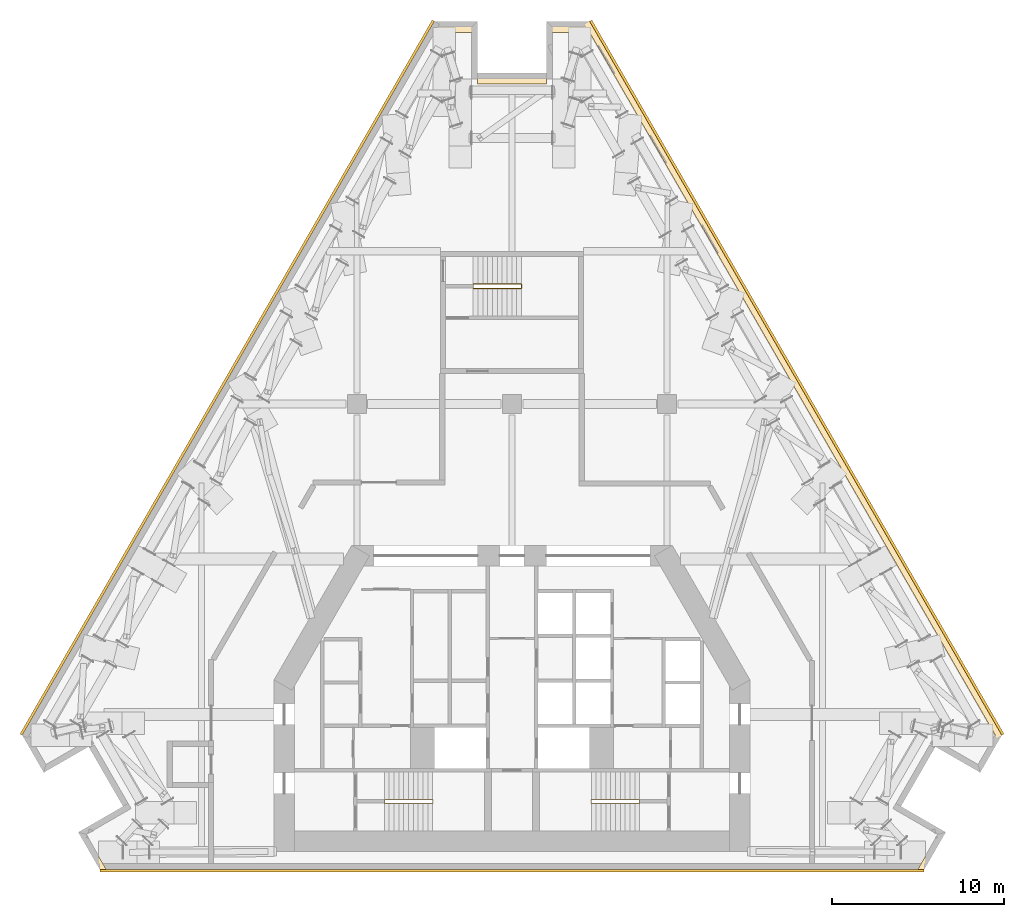
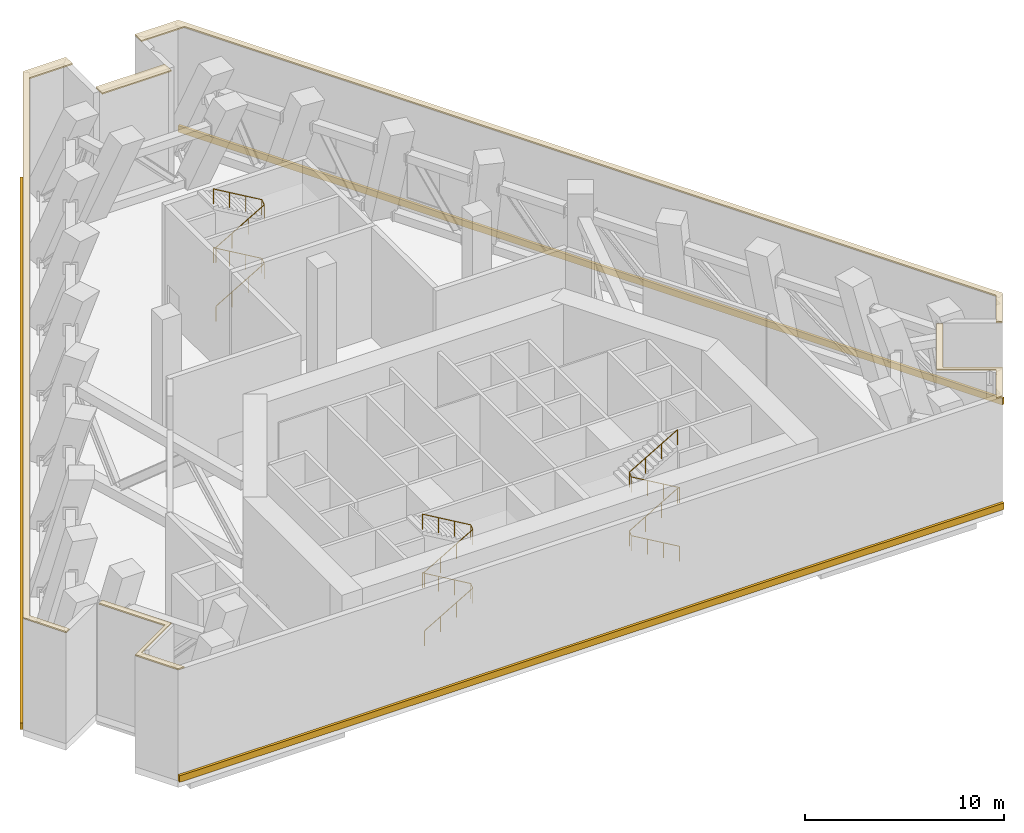
# One storey, part 13 of 13: 8 coverings, 3 railings.
"""IFC4 building model written with IfcOpenShell, lengths in metres."""

from ifc_helpers import new_model, si_unit, direction, frame, origin, origin_2d, place, context, subcontext, project, spatial, polyline, circle, outline, extrude, material, layer, layer_set, type_object, element, save


model = new_model("IFC4")

# Units and contexts
model_context = context("Model", 3, precision=1e-05, world=origin(), true_north=direction((0.0, 1.0)))
body_context = subcontext(model_context, "Body", "Model", "MODEL_VIEW")
ifc_project = project(units=[si_unit("LENGTHUNIT", "METRE"), si_unit("AREAUNIT", "SQUARE_METRE"), si_unit("VOLUMEUNIT", "CUBIC_METRE"), si_unit("PLANEANGLEUNIT", "RADIAN"), si_unit("MASSUNIT", "GRAM", prefix="KILO")], contexts=[model_context])

# Site, building, storey
site_placement = place(None, origin())
site = spatial("IfcSite", under=ifc_project, at=site_placement, CompositionType="ELEMENT")
building_placement = place(site_placement, origin())
building = spatial("IfcBuilding", under=site, at=building_placement, Name="Fogline Exchange Tower", CompositionType="ELEMENT")
storey_placement = place(building_placement, frame((0.0, 0.0, 174.89990234375)))
storey = spatial("IfcBuildingStorey", under=building, at=storey_placement, Name="L39", CompositionType="ELEMENT", Elevation=174.89990234375)

# Coverings
ifc_material_1 = material(Name="Granite", Category="masonry")
ifc_layer = layer(ifc_material_1, 0.080078125)
ifc_layer_set = layer_set([ifc_layer], Name="CP1")
covering_type_1 = type_object("IfcCoveringType", Name="CP1", PredefinedType="USERDEFINED", material=ifc_layer_set)
covering_1_placement = place(storey_placement, frame((0.0, 0.0, 6.800048828125)))
element("IfcCovering", 1, at=covering_1_placement, inside=storey, type_object=covering_type_1, Name="Ledge coping L39", ObjectType="COPING", PredefinedType="USERDEFINED", context=body_context, shape_type="SweptSolid", body=[
    extrude(outline(polyline([(-27.15380859375, 5.629150390625), (-26.87451171875, 5.790283203125), (-28.03125, 7.794189453125), (-4.5, 48.5517578125), (-2.0, 48.5517578125), (-2.0, 49.19677734375), (-4.5, 49.19677734375), (-28.40380859375, 7.794189453125), (-27.15380859375, 5.629150390625)])), origin(), (0.0, 0.0, 1.0), 0.080078125),
])
covering_2_placement = place(storey_placement, frame((0.0, 0.0, 6.800048828125)))
element("IfcCovering", 2, at=covering_2_placement, inside=storey, type_object=covering_type_1, Name="Ledge coping L39", ObjectType="COPING", PredefinedType="USERDEFINED", context=body_context, shape_type="SweptSolid", body=[
    extrude(outline(polyline([(-23.90380859375, 0.0), (-23.53125, 0.0), (-24.78125, 2.1650390625), (-22.18310546875, 3.6650390625), (-24.18310546875, 7.129150390625), (-24.46240234375, 6.968017578125), (-22.5556640625, 3.6650390625), (-25.15380859375, 2.1650390625), (-23.90380859375, 0.0)])), origin(), (0.0, 0.0, 1.0), 0.080078125),
])
covering_3_placement = place(storey_placement, frame((0.0, 0.0, 6.800048828125)))
element("IfcCovering", 3, at=covering_3_placement, inside=storey, type_object=covering_type_1, Name="Ledge coping L39", ObjectType="COPING", PredefinedType="USERDEFINED", context=body_context, shape_type="SweptSolid", body=[
    extrude(outline(polyline([(22.5556640625, 3.6650390625), (24.46240234375, 6.968017578125), (24.18310546875, 7.129150390625), (22.18310546875, 3.6650390625), (24.78125, 2.1650390625), (23.53125, 0.0), (23.90380859375, 0.0), (25.15380859375, 2.1650390625), (22.5556640625, 3.6650390625)])), origin(), (0.0, 0.0, 1.0), 0.080078125),
])
covering_4_placement = place(storey_placement, frame((0.0, 0.0, 6.800048828125)))
element("IfcCovering", 4, at=covering_4_placement, inside=storey, type_object=covering_type_1, Name="Ledge coping L39", ObjectType="COPING", PredefinedType="USERDEFINED", context=body_context, shape_type="SweptSolid", body=[
    extrude(outline(polyline([(2.0, 49.19677734375), (2.0, 48.5517578125), (4.5, 48.5517578125), (28.03125, 7.794189453125), (26.87451171875, 5.790283203125), (27.15380859375, 5.629150390625), (28.40380859375, 7.794189453125), (4.5, 49.19677734375), (2.0, 49.19677734375)])), origin(), (0.0, 0.0, 1.0), 0.080078125),
])
covering_5_placement = place(storey_placement, frame((0.0, 0.0, 6.800048828125)))
element("IfcCovering", 5, at=covering_5_placement, inside=storey, type_object=covering_type_1, Name="Ledge coping L39", ObjectType="COPING", PredefinedType="USERDEFINED", context=body_context, shape_type="SweptSolid", body=[
    extrude(outline(polyline([(2.0, 46.19677734375), (-2.0, 46.19677734375), (-2.0, 45.5517578125), (2.0, 45.5517578125), (2.0, 46.19677734375)])), origin(), (0.0, 0.0, 1.0), 0.080078125),
])

# Railings
ifc_material_2 = material(Name="Steel Q235B", Category="steel")
railing_type = type_object("IfcRailingType", Name="RL-HR", PredefinedType="HANDRAIL", material=ifc_material_2)
railing_1_placement = place(storey_placement, frame((-7.39990234375, 3.85009765625, 0.163818359375)))
element("IfcRailing", 6, at=railing_1_placement, inside=storey, type_object=railing_type, Name="Handrail ST1", PredefinedType="HANDRAIL", context=body_context, shape_type="SweptSolid", body=[
    extrude(circle(Radius=0.02392578125, at=origin_2d()), frame((0.0, 0.0, 0.92578125), z_axis=(0.863374499697, 0.0, 0.504563646405), x_axis=(0.0, 1.0, 0.0)), (0.0, 0.0, 1.0), 3.242919921875),
    extrude(circle(Radius=0.02392578125, at=origin_2d()), frame((2.7998046875, 0.0, 2.56201171875), z_axis=(0.0, 0.773999403868, 0.633186325509), x_axis=(-1.0, 0.0, 0.0)), (0.0, 0.0, 1.0), 0.25830078125),
    extrude(circle(Radius=0.02392578125, at=origin_2d()), frame((2.7998046875, 0.199951171875, 2.7255859375), z_axis=(-0.863341702679, 0.0, 0.504619762213), x_axis=(0.0, -1.0, 0.0)), (0.0, 0.0, 1.0), 3.242919921875),
    extrude(circle(Radius=0.02392578125, at=origin_2d()), frame((0.0, 0.199951171875, 4.3623046875), z_axis=(0.0, -0.773999403868, 0.633186325509), x_axis=(1.0, 0.0, 0.0)), (0.0, 0.0, 1.0), 0.25830078125),
    extrude(circle(Radius=0.02392578125, at=origin_2d()), frame((0.0, 0.0, 4.52587890625), z_axis=(0.863341702679, 0.0, 0.504619762213), x_axis=(0.0, 1.0, 0.0)), (0.0, 0.0, 1.0), 3.242919921875),
    extrude(circle(Radius=0.02392578125, at=origin_2d()), frame((2.7998046875, 0.0, 6.162109375), z_axis=(0.0, 0.773999403868, 0.633186325509), x_axis=(-1.0, 0.0, 0.0)), (0.0, 0.0, 1.0), 0.25830078125),
    extrude(circle(Radius=0.02392578125, at=origin_2d()), frame((2.7998046875, 0.199951171875, 6.32568359375), z_axis=(-0.863341702679, 0.0, 0.504619762213), x_axis=(0.0, -1.0, 0.0)), (0.0, 0.0, 1.0), 3.242919921875),
    extrude(circle(Radius=0.02099609375, at=origin_2d()), origin(), (0.0, 0.0, 1.0), 0.90185546875),
    extrude(circle(Radius=0.02099609375, at=origin_2d()), frame((0.933349609375, 0.0, 0.54541015625)), (0.0, 0.0, 1.0), 0.90185546875),
    extrude(circle(Radius=0.02099609375, at=origin_2d()), frame((1.866455078125, 0.0, 1.0908203125)), (0.0, 0.0, 1.0), 0.90185546875),
    extrude(circle(Radius=0.02099609375, at=origin_2d()), frame((2.7998046875, 0.0, 1.63623046875)), (0.0, 0.0, 1.0), 0.90185546875),
    extrude(circle(Radius=0.02099609375, at=origin_2d()), frame((2.7998046875, 0.199951171875, 1.7998046875)), (0.0, 0.0, 1.0), 0.90185546875),
    extrude(circle(Radius=0.02099609375, at=origin_2d()), frame((1.866455078125, 0.199951171875, 2.34521484375)), (0.0, 0.0, 1.0), 0.90185546875),
    extrude(circle(Radius=0.02099609375, at=origin_2d()), frame((0.933349609375, 0.199951171875, 2.890869140625)), (0.0, 0.0, 1.0), 0.90185546875),
    extrude(circle(Radius=0.02099609375, at=origin_2d()), frame((0.0, 0.199951171875, 3.436279296875)), (0.0, 0.0, 1.0), 0.90185546875),
    extrude(circle(Radius=0.02099609375, at=origin_2d()), frame((0.0, 0.0, 3.599853515625)), (0.0, 0.0, 1.0), 0.90185546875),
    extrude(circle(Radius=0.02099609375, at=origin_2d()), frame((0.933349609375, 0.0, 4.145263671875)), (0.0, 0.0, 1.0), 0.90185546875),
    extrude(circle(Radius=0.02099609375, at=origin_2d()), frame((1.866455078125, 0.0, 4.69091796875)), (0.0, 0.0, 1.0), 0.90185546875),
    extrude(circle(Radius=0.02099609375, at=origin_2d()), frame((2.7998046875, 0.0, 5.236328125)), (0.0, 0.0, 1.0), 0.90185546875),
    extrude(circle(Radius=0.02099609375, at=origin_2d()), frame((2.7998046875, 0.199951171875, 5.39990234375)), (0.0, 0.0, 1.0), 0.90185546875),
    extrude(circle(Radius=0.02099609375, at=origin_2d()), frame((1.866455078125, 0.199951171875, 5.9453125)), (0.0, 0.0, 1.0), 0.90185546875),
    extrude(circle(Radius=0.02099609375, at=origin_2d()), frame((0.933349609375, 0.199951171875, 6.490966796875)), (0.0, 0.0, 1.0), 0.90185546875),
    extrude(circle(Radius=0.02099609375, at=origin_2d()), frame((0.0, 0.199951171875, 7.036376953125)), (0.0, 0.0, 1.0), 0.90185546875),
])
railing_2_placement = place(storey_placement, frame((7.39990234375, 3.85009765625, 0.163818359375)))
element("IfcRailing", 7, at=railing_2_placement, inside=storey, type_object=railing_type, Name="Handrail ST2", PredefinedType="HANDRAIL", context=body_context, shape_type="SweptSolid", body=[
    extrude(circle(Radius=0.02392578125, at=origin_2d()), frame((0.0, 0.0, 0.92578125), z_axis=(-0.863374499697, 0.0, 0.504563646405), x_axis=(0.0, -1.0, 0.0)), (0.0, 0.0, 1.0), 3.242919921875),
    extrude(circle(Radius=0.02392578125, at=origin_2d()), frame((-2.7998046875, 0.0, 2.56201171875), z_axis=(0.0, 0.773999403868, 0.633186325509), x_axis=(-1.0, 0.0, 0.0)), (0.0, 0.0, 1.0), 0.25830078125),
    extrude(circle(Radius=0.02392578125, at=origin_2d()), frame((-2.7998046875, 0.199951171875, 2.7255859375), z_axis=(0.863341702679, 0.0, 0.504619762213), x_axis=(0.0, 1.0, 0.0)), (0.0, 0.0, 1.0), 3.242919921875),
    extrude(circle(Radius=0.02392578125, at=origin_2d()), frame((0.0, 0.199951171875, 4.3623046875), z_axis=(0.0, -0.773999403868, 0.633186325509), x_axis=(1.0, 0.0, 0.0)), (0.0, 0.0, 1.0), 0.25830078125),
    extrude(circle(Radius=0.02392578125, at=origin_2d()), frame((0.0, 0.0, 4.52587890625), z_axis=(-0.863341702679, 0.0, 0.504619762213), x_axis=(0.0, -1.0, 0.0)), (0.0, 0.0, 1.0), 3.242919921875),
    extrude(circle(Radius=0.02392578125, at=origin_2d()), frame((-2.7998046875, 0.0, 6.162109375), z_axis=(0.0, 0.773999403868, 0.633186325509), x_axis=(-1.0, 0.0, 0.0)), (0.0, 0.0, 1.0), 0.25830078125),
    extrude(circle(Radius=0.02392578125, at=origin_2d()), frame((-2.7998046875, 0.199951171875, 6.32568359375), z_axis=(0.863341702679, 0.0, 0.504619762213), x_axis=(0.0, 1.0, 0.0)), (0.0, 0.0, 1.0), 3.242919921875),
    extrude(circle(Radius=0.02099609375, at=origin_2d()), origin(), (0.0, 0.0, 1.0), 0.90185546875),
    extrude(circle(Radius=0.02099609375, at=origin_2d()), frame((-0.933349609375, 0.0, 0.54541015625)), (0.0, 0.0, 1.0), 0.90185546875),
    extrude(circle(Radius=0.02099609375, at=origin_2d()), frame((-1.866455078125, 0.0, 1.0908203125)), (0.0, 0.0, 1.0), 0.90185546875),
    extrude(circle(Radius=0.02099609375, at=origin_2d()), frame((-2.7998046875, 0.0, 1.63623046875)), (0.0, 0.0, 1.0), 0.90185546875),
    extrude(circle(Radius=0.02099609375, at=origin_2d()), frame((-2.7998046875, 0.199951171875, 1.7998046875)), (0.0, 0.0, 1.0), 0.90185546875),
    extrude(circle(Radius=0.02099609375, at=origin_2d()), frame((-1.866455078125, 0.199951171875, 2.34521484375)), (0.0, 0.0, 1.0), 0.90185546875),
    extrude(circle(Radius=0.02099609375, at=origin_2d()), frame((-0.933349609375, 0.199951171875, 2.890869140625)), (0.0, 0.0, 1.0), 0.90185546875),
    extrude(circle(Radius=0.02099609375, at=origin_2d()), frame((0.0, 0.199951171875, 3.436279296875)), (0.0, 0.0, 1.0), 0.90185546875),
    extrude(circle(Radius=0.02099609375, at=origin_2d()), frame((0.0, 0.0, 3.599853515625)), (0.0, 0.0, 1.0), 0.90185546875),
    extrude(circle(Radius=0.02099609375, at=origin_2d()), frame((-0.933349609375, 0.0, 4.145263671875)), (0.0, 0.0, 1.0), 0.90185546875),
    extrude(circle(Radius=0.02099609375, at=origin_2d()), frame((-1.866455078125, 0.0, 4.69091796875)), (0.0, 0.0, 1.0), 0.90185546875),
    extrude(circle(Radius=0.02099609375, at=origin_2d()), frame((-2.7998046875, 0.0, 5.236328125)), (0.0, 0.0, 1.0), 0.90185546875),
    extrude(circle(Radius=0.02099609375, at=origin_2d()), frame((-2.7998046875, 0.199951171875, 5.39990234375)), (0.0, 0.0, 1.0), 0.90185546875),
    extrude(circle(Radius=0.02099609375, at=origin_2d()), frame((-1.866455078125, 0.199951171875, 5.9453125)), (0.0, 0.0, 1.0), 0.90185546875),
    extrude(circle(Radius=0.02099609375, at=origin_2d()), frame((-0.933349609375, 0.199951171875, 6.490966796875)), (0.0, 0.0, 1.0), 0.90185546875),
    extrude(circle(Radius=0.02099609375, at=origin_2d()), frame((0.0, 0.199951171875, 7.036376953125)), (0.0, 0.0, 1.0), 0.90185546875),
])
railing_3_placement = place(storey_placement, frame((-2.25, 33.70703125, 0.163818359375)))
element("IfcRailing", 8, at=railing_3_placement, inside=storey, type_object=railing_type, Name="Handrail ST3", PredefinedType="HANDRAIL", context=body_context, shape_type="SweptSolid", body=[
    extrude(circle(Radius=0.02392578125, at=origin_2d()), frame((0.0, 0.0, 0.92578125), z_axis=(0.863393664356, 0.0, 0.504530851732), x_axis=(0.0, 1.0, 0.0)), (0.0, 0.0, 1.0), 3.2431640625),
    extrude(circle(Radius=0.02392578125, at=origin_2d()), frame((2.800048828125, 0.0, 2.56201171875), z_axis=(0.0, 0.836796820337, 0.547513544557), x_axis=(-1.0, 0.0, 0.0)), (0.0, 0.0, 1.0), 0.298828125),
    extrude(circle(Radius=0.02392578125, at=origin_2d()), frame((2.800048828125, 0.25, 2.7255859375), z_axis=(-0.863360870873, 0.0, 0.504586966384), x_axis=(0.0, -1.0, 0.0)), (0.0, 0.0, 1.0), 3.2431640625),
    extrude(circle(Radius=0.02392578125, at=origin_2d()), frame((0.0, 0.25, 4.3623046875), z_axis=(0.0, -0.836796820337, 0.547513544557), x_axis=(1.0, 0.0, 0.0)), (0.0, 0.0, 1.0), 0.298828125),
    extrude(circle(Radius=0.02392578125, at=origin_2d()), frame((0.0, 0.0, 4.52587890625), z_axis=(0.863360870873, 0.0, 0.504586966384), x_axis=(0.0, 1.0, 0.0)), (0.0, 0.0, 1.0), 3.2431640625),
    extrude(circle(Radius=0.02392578125, at=origin_2d()), frame((2.800048828125, 0.0, 6.162109375), z_axis=(0.0, 0.836796820337, 0.547513544557), x_axis=(-1.0, 0.0, 0.0)), (0.0, 0.0, 1.0), 0.298828125),
    extrude(circle(Radius=0.02392578125, at=origin_2d()), frame((2.800048828125, 0.25, 6.32568359375), z_axis=(-0.863360870873, 0.0, 0.504586966384), x_axis=(0.0, -1.0, 0.0)), (0.0, 0.0, 1.0), 3.2431640625),
    extrude(circle(Radius=0.02099609375, at=origin_2d()), origin(), (0.0, 0.0, 1.0), 0.90185546875),
    extrude(circle(Radius=0.02099609375, at=origin_2d()), frame((0.933349609375, 0.0, 0.54541015625)), (0.0, 0.0, 1.0), 0.90185546875),
    extrude(circle(Radius=0.02099609375, at=origin_2d()), frame((1.86669921875, 0.0, 1.0908203125)), (0.0, 0.0, 1.0), 0.90185546875),
    extrude(circle(Radius=0.02099609375, at=origin_2d()), frame((2.800048828125, 0.0, 1.63623046875)), (0.0, 0.0, 1.0), 0.90185546875),
    extrude(circle(Radius=0.02099609375, at=origin_2d()), frame((2.800048828125, 0.25, 1.7998046875)), (0.0, 0.0, 1.0), 0.90185546875),
    extrude(circle(Radius=0.02099609375, at=origin_2d()), frame((1.86669921875, 0.25, 2.34521484375)), (0.0, 0.0, 1.0), 0.90185546875),
    extrude(circle(Radius=0.02099609375, at=origin_2d()), frame((0.933349609375, 0.25, 2.890869140625)), (0.0, 0.0, 1.0), 0.90185546875),
    extrude(circle(Radius=0.02099609375, at=origin_2d()), frame((0.0, 0.25, 3.436279296875)), (0.0, 0.0, 1.0), 0.90185546875),
    extrude(circle(Radius=0.02099609375, at=origin_2d()), frame((0.0, 0.0, 3.599853515625)), (0.0, 0.0, 1.0), 0.90185546875),
    extrude(circle(Radius=0.02099609375, at=origin_2d()), frame((0.933349609375, 0.0, 4.145263671875)), (0.0, 0.0, 1.0), 0.90185546875),
    extrude(circle(Radius=0.02099609375, at=origin_2d()), frame((1.86669921875, 0.0, 4.69091796875)), (0.0, 0.0, 1.0), 0.90185546875),
    extrude(circle(Radius=0.02099609375, at=origin_2d()), frame((2.800048828125, 0.0, 5.236328125)), (0.0, 0.0, 1.0), 0.90185546875),
    extrude(circle(Radius=0.02099609375, at=origin_2d()), frame((2.800048828125, 0.25, 5.39990234375)), (0.0, 0.0, 1.0), 0.90185546875),
    extrude(circle(Radius=0.02099609375, at=origin_2d()), frame((1.86669921875, 0.25, 5.9453125)), (0.0, 0.0, 1.0), 0.90185546875),
    extrude(circle(Radius=0.02099609375, at=origin_2d()), frame((0.933349609375, 0.25, 6.490966796875)), (0.0, 0.0, 1.0), 0.90185546875),
    extrude(circle(Radius=0.02099609375, at=origin_2d()), frame((0.0, 0.25, 7.036376953125)), (0.0, 0.0, 1.0), 0.90185546875),
])

# Coverings
ifc_material_3 = material(Name="Brick masonry", Category="masonry")
covering_type_2 = type_object("IfcCoveringType", Name="SB2", PredefinedType="CLADDING", material=ifc_material_3)
covering_6_placement = place(storey_placement, origin())
element("IfcCovering", 9, at=covering_6_placement, inside=storey, type_object=covering_type_2, Name="Stringcourse band L39 S", PredefinedType="CLADDING", context=body_context, shape_type="SweptSolid", body=[
    extrude(outline(polyline([(-23.90380859375, 0.0), (-23.90380859375, -0.14990234375), (23.90380859375, -0.14990234375), (23.90380859375, 0.0), (-23.90380859375, 0.0)])), origin(), (0.0, 0.0, 1.0), 0.400146484375),
])
covering_7_placement = place(storey_placement, origin())
element("IfcCovering", 10, at=covering_7_placement, inside=storey, type_object=covering_type_2, Name="Stringcourse band L39 E", PredefinedType="CLADDING", context=body_context, shape_type="SweptSolid", body=[
    extrude(outline(polyline([(28.40380859375, 7.794189453125), (28.53369140625, 7.869140625), (4.6298828125, 49.271728515625), (4.5, 49.19677734375), (28.40380859375, 7.794189453125)])), origin(), (0.0, 0.0, 1.0), 0.400146484375),
])
covering_8_placement = place(storey_placement, origin())
element("IfcCovering", 11, at=covering_8_placement, inside=storey, type_object=covering_type_2, Name="Stringcourse band L39 W", PredefinedType="CLADDING", context=body_context, shape_type="SweptSolid", body=[
    extrude(outline(polyline([(-4.5, 49.19677734375), (-4.6298828125, 49.271728515625), (-28.53369140625, 7.869140625), (-28.40380859375, 7.794189453125), (-4.5, 49.19677734375)])), origin(), (0.0, 0.0, 1.0), 0.400146484375),
])

save(model, "model.ifc")
